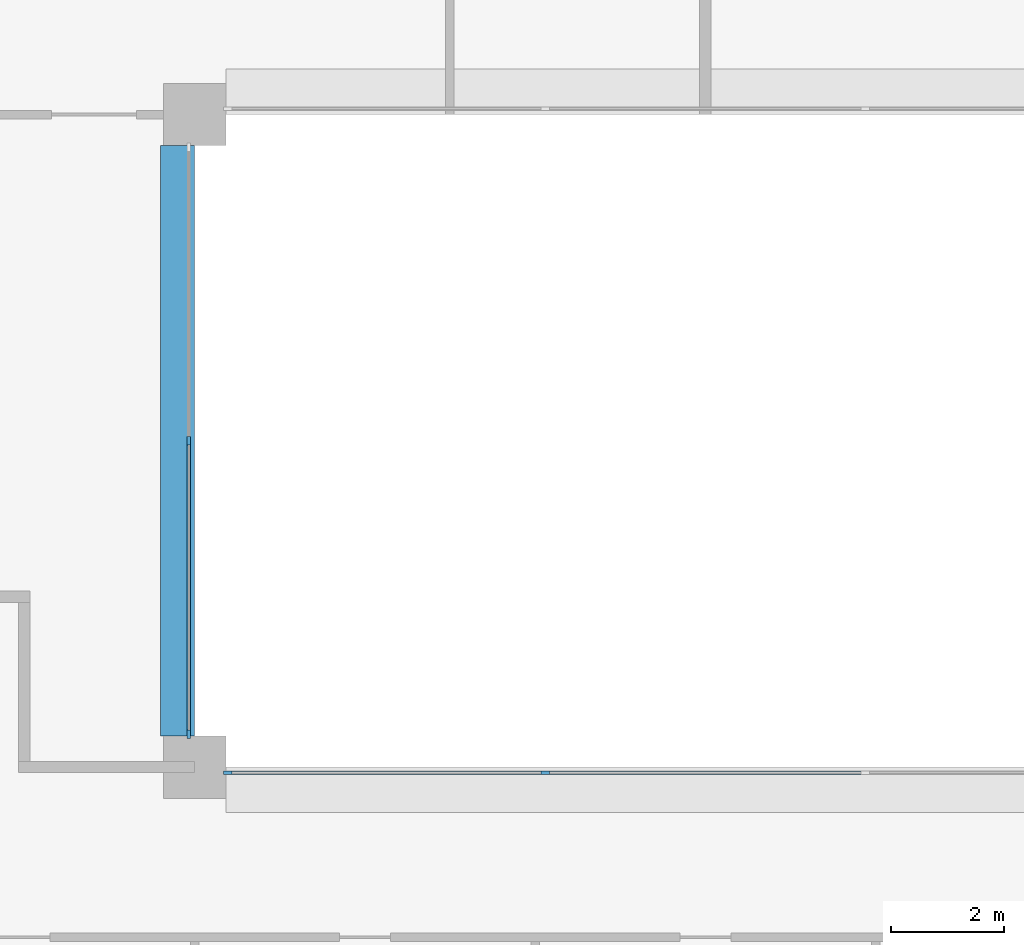
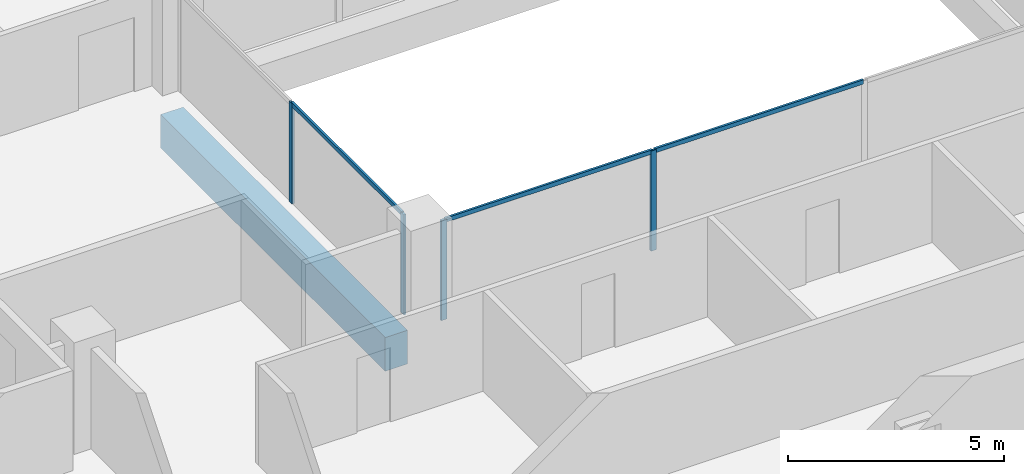
# One storey, part 2 of 17: 7 members, 1 beam, 2 elements without a shape of their own.
"""IFC4 building model written with IfcOpenShell, lengths in metres."""

from ifc_helpers import new_model, si_unit, direction, frame, origin, origin_2d, place, context, subcontext, project, spatial, rectangle, extrude, material, layer, layer_set, material_profile, profile_set, type_object, element, aggregate, save


model = new_model("IFC4")

# Units and contexts
model_context = context("Model", 3, precision=1e-05, world=origin(), true_north=direction((0.0, 1.0)))
body_context = subcontext(model_context, "Body", "Model", "MODEL_VIEW")
ifc_project = project(units=[si_unit("LENGTHUNIT", "METRE"), si_unit("AREAUNIT", "SQUARE_METRE"), si_unit("VOLUMEUNIT", "CUBIC_METRE"), si_unit("PLANEANGLEUNIT", "RADIAN"), si_unit("MASSUNIT", "GRAM", prefix="KILO")], contexts=[model_context])

# Site, building, storey
site_placement = place(None, origin())
site = spatial("IfcSite", under=ifc_project, at=site_placement, CompositionType="ELEMENT")
building_placement = place(site_placement, origin())
building = spatial("IfcBuilding", under=site, at=building_placement, Name="Brigalow Station Residences", CompositionType="ELEMENT")
storey_placement = place(building_placement, frame((0.0, 0.0, 141.300048828125)))
storey = spatial("IfcBuildingStorey", under=building, at=storey_placement, Name="L40", CompositionType="ELEMENT", Elevation=141.300048828125)

# Beam
ifc_material_1 = material(Name="Concrete C65", Category="concrete")
ifc_material_profile_1 = material_profile(ifc_material_1, rectangle(XDim=0.60009765625, YDim=0.949951171875, at=origin_2d()), Name="RC600x950")
ifc_profile_set_1 = profile_set([ifc_material_profile_1], Name="Concrete C65")
beam_type = type_object("IfcBeamType", Name="ATRIUM EDGE GIRDER 600x950 C65", PredefinedType="BEAM", material=ifc_profile_set_1)
beam_placement = place(storey_placement, frame((26.699951171875, 24.550048828125, -0.97509765625), z_axis=(0.0, 1.0, 0.0), x_axis=(-1.0, 0.0, 0.0)))
element("IfcBeam", 1, at=beam_placement, inside=storey, type_object=beam_type, Name="ATRIUM EDGE GIRDER 3 L40", PredefinedType="BEAM", context=body_context, shape_type="SweptSolid", body=[
    extrude(rectangle(XDim=0.60009765625, YDim=0.949951171875, at=origin_2d()), origin(), (0.0, 0.0, 1.0), 10.39990234375),
])

# Curtain wall, members
ifc_material_2 = material(Name="Aluminium", Category="aluminium")
ifc_layer = layer(ifc_material_2, 0.14990234375)
ifc_layer_set = layer_set([ifc_layer], Name="ATRIUM FIRE-RATED GLAZING CURTAIN WALL")
curtain_wall_type = type_object("IfcCurtainWallType", Name="ATRIUM FIRE-RATED GLAZING CURTAIN WALL", PredefinedType="NOTDEFINED", material=ifc_layer_set)
curtain_wall_1_placement = place(storey_placement, origin())
curtain_wall_1 = element("IfcCurtainWall", 2, at=curtain_wall_1_placement, inside=storey, type_object=curtain_wall_type, Name="L40/cw/atrium-S", PredefinedType="NOTDEFINED")
ifc_material_3 = material(Name="Aluminium", Category="aluminium")
ifc_material_profile_2 = material_profile(ifc_material_3, rectangle(XDim=0.06005859375, YDim=0.14990234375, at=origin_2d()), Name="ATRIUM FIRE-RATED GLAZING MULLION 60x150")
ifc_profile_set_2 = profile_set([ifc_material_profile_2], Name="Aluminium")
member_type_1 = type_object("IfcMemberType", Name="ATRIUM FIRE-RATED GLAZING MULLION 60x150", PredefinedType="MULLION", material=ifc_profile_set_2)
member_1_placement = place(storey_placement, frame((27.580078125, 23.89990234375, 0.0), z_axis=(0.0, 0.0, 1.0), x_axis=(0.0, 1.0, 0.0)))
member_1 = element("IfcMember", 3, at=member_1_placement, type_object=member_type_1, Name="L40/cw/atrium-S/M00", PredefinedType="MULLION", context=body_context, shape_type="SweptSolid", body=[
    extrude(rectangle(XDim=0.06005859375, YDim=0.14990234375, at=origin_2d()), origin(), (0.0, 0.0, 1.0), 2.829833984375),
])
member_2_placement = place(storey_placement, frame((33.183349609375, 23.89990234375, 0.0), z_axis=(0.0, 0.0, 1.0), x_axis=(0.0, 1.0, 0.0)))
member_2 = element("IfcMember", 4, at=member_2_placement, type_object=member_type_1, Name="L40/cw/atrium-S/M01", PredefinedType="MULLION", context=body_context, shape_type="SweptSolid", body=[
    extrude(rectangle(XDim=0.06005859375, YDim=0.14990234375, at=origin_2d()), origin(), (0.0, 0.0, 1.0), 2.829833984375),
])

curtain_wall_2_placement = place(storey_placement, origin())
curtain_wall_2 = element("IfcCurtainWall", 5, at=curtain_wall_2_placement, inside=storey, type_object=curtain_wall_type, Name="L40/cw/atrium-W", PredefinedType="NOTDEFINED")
member_3_placement = place(storey_placement, frame((26.89990234375, 29.75, 0.0), z_axis=(0.0, 0.0, 1.0), x_axis=(1.0, 0.0, 0.0)))
member_3 = element("IfcMember", 6, at=member_3_placement, type_object=member_type_1, Name="L40/cw/atrium-W/M01", PredefinedType="MULLION", context=body_context, shape_type="SweptSolid", body=[
    extrude(rectangle(XDim=0.06005859375, YDim=0.14990234375, at=origin_2d()), origin(), (0.0, 0.0, 1.0), 2.829833984375),
])
member_4_placement = place(storey_placement, frame((26.89990234375, 24.580078125, 0.0), z_axis=(0.0, 0.0, 1.0), x_axis=(1.0, 0.0, 0.0)))
member_4 = element("IfcMember", 7, at=member_4_placement, type_object=member_type_1, Name="L40/cw/atrium-W/M02", PredefinedType="MULLION", context=body_context, shape_type="SweptSolid", body=[
    extrude(rectangle(XDim=0.06005859375, YDim=0.14990234375, at=origin_2d()), origin(), (0.0, 0.0, 1.0), 2.829833984375),
])

# Member
ifc_material_4 = material(Name="Aluminium", Category="aluminium")
ifc_material_profile_3 = material_profile(ifc_material_4, rectangle(XDim=0.06005859375, YDim=0.1201171875, at=origin_2d()), Name="ATRIUM FIRE-RATED GLAZING TRANSOM 60x120")
ifc_profile_set_3 = profile_set([ifc_material_profile_3], Name="Aluminium")
member_type_2 = type_object("IfcMemberType", Name="ATRIUM FIRE-RATED GLAZING TRANSOM 60x120", PredefinedType="USERDEFINED", material=ifc_profile_set_3)
member_5_placement = place(storey_placement, frame((27.610107421875, 23.89990234375, 2.800048828125), z_axis=(1.0, 0.0, 0.0), x_axis=(0.0, 1.0, 0.0)))
member_5 = element("IfcMember", 8, at=member_5_placement, type_object=member_type_2, Name="L40/cw/atrium-S/T00-00", ObjectType="TRANSOM", PredefinedType="USERDEFINED", context=body_context, shape_type="SweptSolid", body=[
    extrude(rectangle(XDim=0.06005859375, YDim=0.1201171875, at=origin_2d()), origin(), (0.0, 0.0, 1.0), 5.543212890625),
])

member_6_placement = place(storey_placement, frame((33.21337890625, 23.89990234375, 2.800048828125), z_axis=(1.0, 0.0, 0.0), x_axis=(0.0, 1.0, 0.0)))
member_6 = element("IfcMember", 9, at=member_6_placement, type_object=member_type_2, Name="L40/cw/atrium-S/T01-00", ObjectType="TRANSOM", PredefinedType="USERDEFINED", context=body_context, shape_type="SweptSolid", body=[
    extrude(rectangle(XDim=0.06005859375, YDim=0.1201171875, at=origin_2d()), origin(), (0.0, 0.0, 1.0), 5.5732421875),
])

aggregate(curtain_wall_1, [member_1, member_2, member_5, member_6])

member_7_placement = place(storey_placement, frame((26.89990234375, 29.719970703125, 2.800048828125), z_axis=(0.0, -1.0, 0.0), x_axis=(1.0, 0.0, 0.0)))
member_7 = element("IfcMember", 10, at=member_7_placement, type_object=member_type_2, Name="L40/cw/atrium-W/T01-00", ObjectType="TRANSOM", PredefinedType="USERDEFINED", context=body_context, shape_type="SweptSolid", body=[
    extrude(rectangle(XDim=0.06005859375, YDim=0.1201171875, at=origin_2d()), origin(), (0.0, 0.0, 1.0), 5.10986328125),
])

aggregate(curtain_wall_2, [member_3, member_4, member_7])

save(model, "model.ifc")
